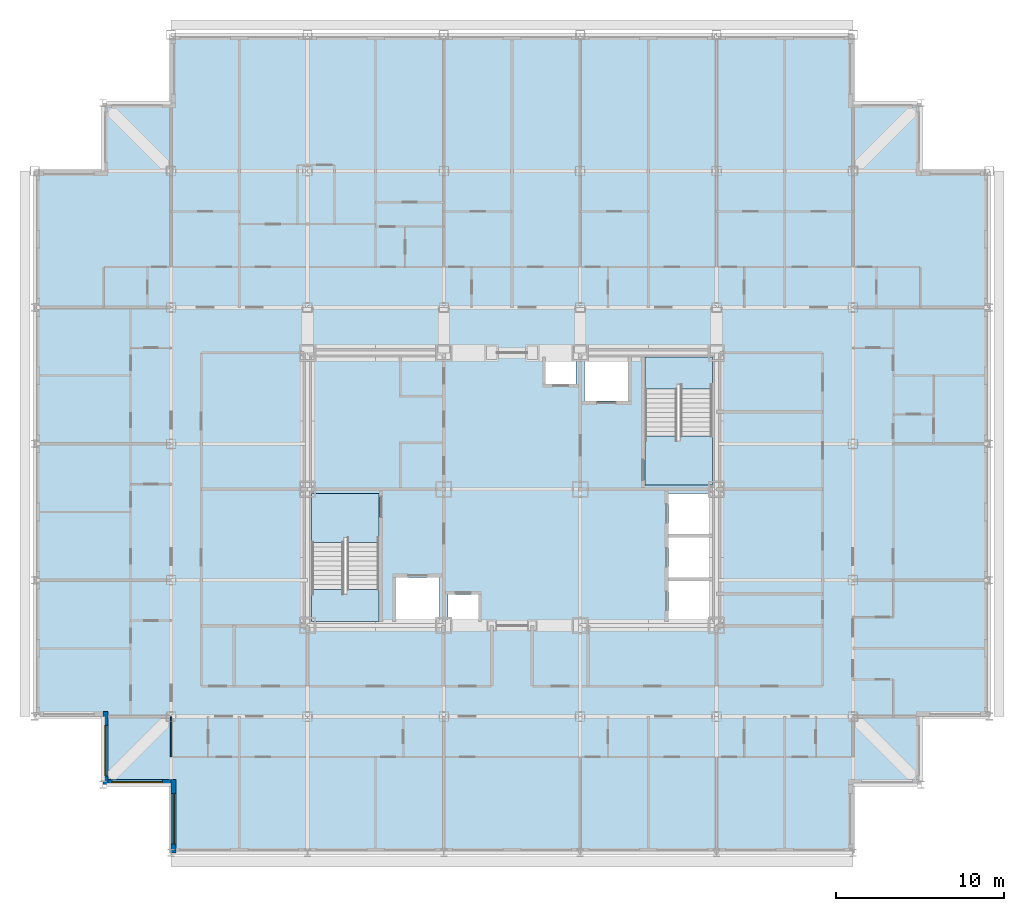
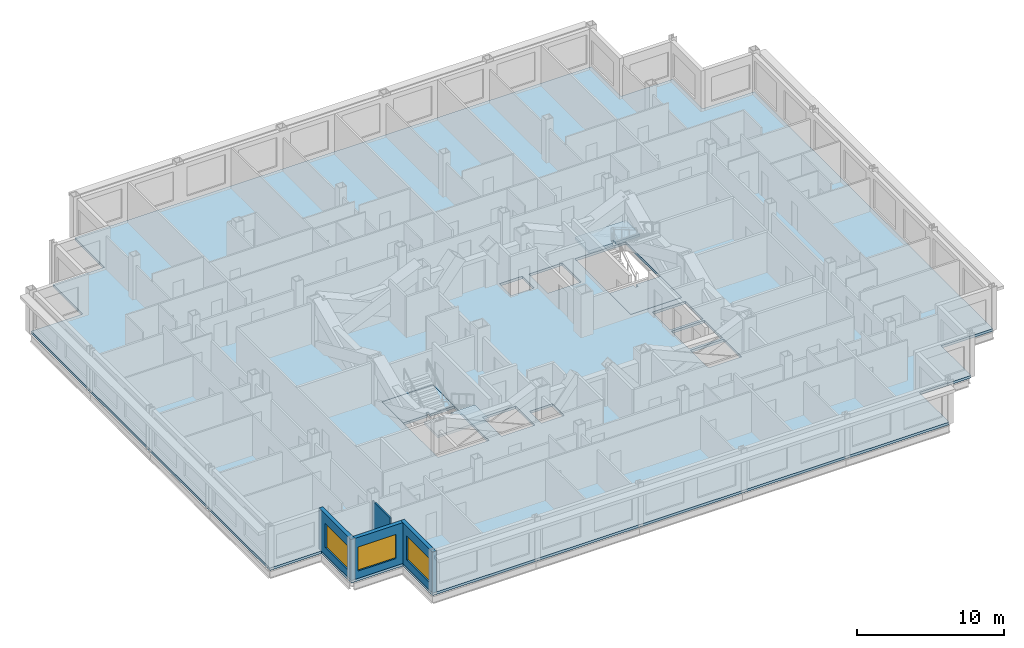
# One storey, part 3 of 12: 5 slabs, 4 walls, 3 windows, 3 openings, 2 elements without a shape of their own.
"""IFC4 building model written with IfcOpenShell, lengths in metres."""

from ifc_helpers import new_model, si_unit, direction, frame, frame_2d, origin, place, context, subcontext, project, spatial, polyline, rectangle, outline, extrude, material, layer, layer_set, type_object, element, fill, aggregate, save


model = new_model("IFC4")

# Units and contexts
model_context = context("Model", 3, precision=1e-05, world=origin(), true_north=direction((0.0, 1.0)))
body_context = subcontext(model_context, "Body", "Model", "MODEL_VIEW")
ifc_project = project(units=[si_unit("LENGTHUNIT", "METRE"), si_unit("AREAUNIT", "SQUARE_METRE"), si_unit("VOLUMEUNIT", "CUBIC_METRE"), si_unit("PLANEANGLEUNIT", "RADIAN"), si_unit("MASSUNIT", "GRAM", prefix="KILO")], contexts=[model_context])

# Site, building, storey
site_placement = place(None, origin())
site = spatial("IfcSite", under=ifc_project, at=site_placement, CompositionType="ELEMENT")
building_placement = place(site_placement, origin())
building = spatial("IfcBuilding", under=site, at=building_placement, Name="Kopane Lantern Tower", CompositionType="ELEMENT")
storey_placement = place(building_placement, frame((0.0, 0.0, 199.199951171875)))
storey = spatial("IfcBuildingStorey", under=building, at=storey_placement, Name="L51", CompositionType="ELEMENT", Elevation=199.199951171875)

# Slab
ifc_material_1 = material(Name="Concrete C40/50", Category="concrete")
ifc_layer_1 = layer(ifc_material_1, 0.2099609375)
ifc_layer_set_1 = layer_set([ifc_layer_1], Name="SLAB 210 COMPOSITE")
slab_type_1 = type_object("IfcSlabType", Name="SLAB 210 COMPOSITE", PredefinedType="FLOOR", material=ifc_layer_set_1)
slab_1_placement = place(storey_placement, frame((0.0, 0.0, -0.2099609375)))
element("IfcSlab", 1, at=slab_1_placement, inside=storey, type_object=slab_type_1, Name="Floor slab L51", PredefinedType="FLOOR", context=body_context, shape_type="SweptSolid", body=[
    extrude(outline(polyline([(8.10009765625, 10.800048828125), (48.60009765625, 10.800048828125), (48.60009765625, 14.85009765625), (52.64990234375, 14.85009765625), (52.64990234375, 18.89990234375), (56.699951171875, 18.89990234375), (56.699951171875, 51.300048828125), (52.64990234375, 51.300048828125), (52.64990234375, 55.35009765625), (48.60009765625, 55.35009765625), (48.60009765625, 59.39990234375), (8.10009765625, 59.39990234375), (8.10009765625, 55.35009765625), (4.050048828125, 55.35009765625), (4.050048828125, 51.300048828125), (0.0, 51.300048828125), (0.0, 18.89990234375), (4.050048828125, 18.89990234375), (4.050048828125, 14.85009765625), (8.10009765625, 14.85009765625), (8.10009765625, 10.800048828125)]), holes=[polyline([(16.449951171875, 24.550048828125), (20.449951171875, 24.550048828125), (20.449951171875, 32.14990234375), (16.449951171875, 32.14990234375), (16.449951171875, 24.550048828125)]), polyline([(36.25, 32.64990234375), (40.25, 32.64990234375), (40.25, 40.25), (36.25, 40.25), (36.25, 32.64990234375)]), polyline([(37.64990234375, 24.550048828125), (40.25, 24.550048828125), (40.25, 26.949951171875), (37.64990234375, 26.949951171875), (37.64990234375, 24.550048828125)]), polyline([(37.64990234375, 27.14990234375), (40.25, 27.14990234375), (40.25, 29.550048828125), (37.64990234375, 29.550048828125), (37.64990234375, 27.14990234375)]), polyline([(37.64990234375, 29.75), (40.25, 29.75), (40.25, 32.14990234375), (37.64990234375, 32.14990234375), (37.64990234375, 29.75)]), polyline([(21.449951171875, 24.550048828125), (24.050048828125, 24.550048828125), (24.050048828125, 27.14990234375), (21.449951171875, 27.14990234375), (21.449951171875, 24.550048828125)]), polyline([(32.64990234375, 37.64990234375), (35.25, 37.64990234375), (35.25, 40.25), (32.64990234375, 40.25), (32.64990234375, 37.64990234375)]), polyline([(24.550048828125, 24.550048828125), (26.35009765625, 24.550048828125), (26.35009765625, 26.14990234375), (24.550048828125, 26.14990234375), (24.550048828125, 24.550048828125)]), polyline([(30.35009765625, 38.64990234375), (32.14990234375, 38.64990234375), (32.14990234375, 40.25), (30.35009765625, 40.25), (30.35009765625, 38.64990234375)])]), origin(), (0.0, 0.0, 1.0), 0.2099609375),
])

# Stair, slabs
ifc_material_2 = material(Name="Steel S355JR", Category="steel")
stair_type = type_object("IfcStairType", Name="EXIT STAIR 1900 HALF TURN", PredefinedType="HALF_TURN_STAIR", material=ifc_material_2)
stair_1_placement = place(storey_placement, origin())
stair_1 = element("IfcStair", 2, at=stair_1_placement, inside=storey, type_object=stair_type, Name="Exit stair ST1 L51", PredefinedType="HALF_TURN_STAIR")
ifc_material_3 = material(Name="Concrete C40/50", Category="concrete")
ifc_layer_2 = layer(ifc_material_3, 0.199951171875)
ifc_layer_set_2 = layer_set([ifc_layer_2], Name="STAIR LANDING 200")
slab_type_2 = type_object("IfcSlabType", Name="STAIR LANDING 200", PredefinedType="LANDING", material=ifc_layer_set_2)
slab_2_placement = place(storey_placement, frame((0.0, 0.0, -0.199951171875)))
slab_2 = element("IfcSlab", 3, at=slab_2_placement, type_object=slab_type_2, Name="ST1 landing 1", PredefinedType="LANDING", context=body_context, shape_type="SweptSolid", body=[
    extrude(outline(polyline([(18.35009765625, 29.530029296875), (18.550048828125, 29.530029296875), (18.550048828125, 29.25), (20.449951171875, 29.25), (20.449951171875, 32.14990234375), (16.449951171875, 32.14990234375), (16.449951171875, 29.25), (18.35009765625, 29.25), (18.35009765625, 29.530029296875)])), origin(), (0.0, 0.0, 1.0), 0.199951171875),
])
slab_3_placement = place(storey_placement, frame((0.0, 0.0, 1.60009765625)))
slab_3 = element("IfcSlab", 4, at=slab_3_placement, type_object=slab_type_2, Name="ST1 landing 2", PredefinedType="LANDING", context=body_context, shape_type="SweptSolid", body=[
    extrude(outline(polyline([(20.449951171875, 26.449951171875), (18.550048828125, 26.449951171875), (18.550048828125, 26.169921875), (18.35009765625, 26.169921875), (18.35009765625, 26.449951171875), (16.449951171875, 26.449951171875), (16.449951171875, 24.550048828125), (20.449951171875, 24.550048828125), (20.449951171875, 26.449951171875)])), origin(), (0.0, 0.0, 1.0), 0.199951171875),
])
aggregate(stair_1, [slab_2, slab_3])

stair_2_placement = place(storey_placement, origin())
stair_2 = element("IfcStair", 5, at=stair_2_placement, inside=storey, type_object=stair_type, Name="Exit stair ST2 L51", PredefinedType="HALF_TURN_STAIR")
slab_4_placement = place(storey_placement, frame((0.0, 0.0, -0.199951171875)))
slab_4 = element("IfcSlab", 6, at=slab_4_placement, type_object=slab_type_2, Name="ST2 landing 1", PredefinedType="LANDING", context=body_context, shape_type="SweptSolid", body=[
    extrude(outline(polyline([(40.25, 35.550048828125), (38.35009765625, 35.550048828125), (38.35009765625, 35.27001953125), (38.14990234375, 35.27001953125), (38.14990234375, 35.550048828125), (36.25, 35.550048828125), (36.25, 32.64990234375), (40.25, 32.64990234375), (40.25, 35.550048828125)])), origin(), (0.0, 0.0, 1.0), 0.199951171875),
])
slab_5_placement = place(storey_placement, frame((0.0, 0.0, 1.60009765625)))
slab_5 = element("IfcSlab", 7, at=slab_5_placement, type_object=slab_type_2, Name="ST2 landing 2", PredefinedType="LANDING", context=body_context, shape_type="SweptSolid", body=[
    extrude(outline(polyline([(38.14990234375, 38.6298828125), (38.35009765625, 38.6298828125), (38.35009765625, 38.35009765625), (40.25, 38.35009765625), (40.25, 40.25), (36.25, 40.25), (36.25, 38.35009765625), (38.14990234375, 38.35009765625), (38.14990234375, 38.6298828125)])), origin(), (0.0, 0.0, 1.0), 0.199951171875),
])
aggregate(stair_2, [slab_4, slab_5])

# Wall
ifc_material_4 = material(Name="Moisture-resistant board on steel studs", Category="steel")
ifc_layer_3 = layer(ifc_material_4, 0.10009765625)
ifc_layer_set_3 = layer_set([ifc_layer_3], Name="BATHROOM WALL 100")
wall_type_1 = type_object("IfcWallType", Name="BATHROOM WALL 100", PredefinedType="PARTITIONING", material=ifc_layer_set_3)
wall_1_placement = place(storey_placement, frame((8.10009765625, 18.89990234375, 0.0), z_axis=(0.0, 0.0, 1.0), x_axis=(0.0, -1.0, 0.0)))
element("IfcWall", 8, at=wall_1_placement, inside=storey, type_object=wall_type_1, Name="Bathroom Wall 100 L51", PredefinedType="PARTITIONING", context=body_context, shape_type="SweptSolid", body=[
    extrude(rectangle(XDim=2.39990234375, YDim=0.10009765625, at=frame_2d((1.199951171875, 0.0))), origin(), (0.0, 0.0, 1.0), 2.77783203125),
])

# Wall, opening, window
ifc_material_5 = material(Name="Terracotta rainscreen on light steel framing", Category="masonry")
ifc_layer_4 = layer(ifc_material_5, 0.300048828125)
ifc_layer_set_4 = layer_set([ifc_layer_4], Name="EXTERNAL WALL EW1 300 TERRACOTTA")
wall_type_2 = type_object("IfcWallType", Name="EXTERNAL WALL EW1 300 TERRACOTTA", PredefinedType="SOLIDWALL", material=ifc_layer_set_4)
wall_2_placement = place(storey_placement, frame((4.199951171875, 19.199951171875, 0.0), z_axis=(0.0, 0.0, 1.0), x_axis=(0.0, -1.0, 0.0)))
wall_2 = element("IfcWall", 9, at=wall_2_placement, inside=storey, type_object=wall_type_2, Name="External wall W L51", PredefinedType="SOLIDWALL", context=body_context, shape_type="SweptSolid", body=[
    extrude(rectangle(XDim=4.349853515625, YDim=0.300048828125, at=frame_2d((2.1748046875, 0.0))), origin(), (0.0, 0.0, 1.0), 3.39013671875),
])
opening_1_placement = place(wall_2_placement, frame((0.824951171875, 0.0, 0.60009765625)))
opening_1 = element("IfcOpeningElement", 10, at=opening_1_placement, cuts=wall_2, Name="Opening WR300200", PredefinedType="OPENING", context=body_context, shape_type="SweptSolid", body=[
    extrude(rectangle(XDim=3.0, YDim=2.0, at=frame_2d((1.5, 1.0))), frame((0.0, 0.159912109375, 0.0), z_axis=(0.0, -1.0, 0.0), x_axis=(1.0, 0.0, 0.0)), (0.0, 0.0, 1.0), 0.320068359375),
])
ifc_material_6 = material(Name="Aluminium and clear glass", Category="aluminium")
window_type = type_object("IfcWindowType", Name="RIBBON WINDOW WR300200 3000x2000", PartitioningType="SINGLE_PANEL", PredefinedType="WINDOW", material=ifc_material_6)
window_1_placement = place(opening_1_placement, origin())
window_1 = element("IfcWindow", 11, at=window_1_placement, inside=storey, type_object=window_type, Name="Window W L51", OverallHeight=2.0, OverallWidth=3.0, PartitioningType="SINGLE_PANEL", PredefinedType="WINDOW", context=body_context, shape_type="SweptSolid", body=[
    extrude(rectangle(XDim=3.0, YDim=2.0, at=frame_2d((1.5, 1.0))), frame((0.0, 0.030029296875, 0.0), z_axis=(0.0, -1.0, 0.0), x_axis=(1.0, 0.0, 0.0)), (0.0, 0.0, 1.0), 0.06005859375),
])
fill(opening_1, window_1)

wall_3_placement = place(storey_placement, frame((4.35009765625, 15.0, 0.0), z_axis=(0.0, 0.0, 1.0), x_axis=(1.0, 0.0, 0.0)))
wall_3 = element("IfcWall", 12, at=wall_3_placement, inside=storey, type_object=wall_type_2, Name="External wall S L51", PredefinedType="SOLIDWALL", context=body_context, shape_type="SweptSolid", body=[
    extrude(rectangle(XDim=3.75, YDim=0.300048828125, at=frame_2d((1.875, 0.0))), origin(), (0.0, 0.0, 1.0), 3.39013671875),
])
opening_2_placement = place(wall_3_placement, frame((0.22509765625, 0.0, 0.60009765625)))
opening_2 = element("IfcOpeningElement", 13, at=opening_2_placement, cuts=wall_3, Name="Opening WR300200", PredefinedType="OPENING", context=body_context, shape_type="SweptSolid", body=[
    extrude(rectangle(XDim=3.0, YDim=2.0, at=frame_2d((1.5, 1.0))), frame((0.0, 0.159912109375, 0.0), z_axis=(0.0, -1.0, 0.0), x_axis=(1.0, 0.0, 0.0)), (0.0, 0.0, 1.0), 0.320068359375),
])
window_2_placement = place(opening_2_placement, origin())
window_2 = element("IfcWindow", 14, at=window_2_placement, inside=storey, type_object=window_type, Name="Window S L51", OverallHeight=2.0, OverallWidth=3.0, PartitioningType="SINGLE_PANEL", PredefinedType="WINDOW", context=body_context, shape_type="SweptSolid", body=[
    extrude(rectangle(XDim=3.0, YDim=2.0, at=frame_2d((1.5, 1.0))), frame((0.0, 0.030029296875, 0.0), z_axis=(0.0, -1.0, 0.0), x_axis=(1.0, 0.0, 0.0)), (0.0, 0.0, 1.0), 0.06005859375),
])
fill(opening_2, window_2)

wall_4_placement = place(storey_placement, frame((8.25, 15.14990234375, 0.0), z_axis=(0.0, 0.0, 1.0), x_axis=(0.0, -1.0, 0.0)))
wall_4 = element("IfcWall", 15, at=wall_4_placement, inside=storey, type_object=wall_type_2, Name="External wall W L51", PredefinedType="SOLIDWALL", context=body_context, shape_type="SweptSolid", body=[
    extrude(rectangle(XDim=4.349853515625, YDim=0.300048828125, at=frame_2d((2.1748046875, 0.0))), origin(), (0.0, 0.0, 1.0), 3.39013671875),
])
opening_3_placement = place(wall_4_placement, frame((0.824951171875, 0.0, 0.60009765625)))
opening_3 = element("IfcOpeningElement", 16, at=opening_3_placement, cuts=wall_4, Name="Opening WR300200", PredefinedType="OPENING", context=body_context, shape_type="SweptSolid", body=[
    extrude(rectangle(XDim=3.0, YDim=2.0, at=frame_2d((1.5, 1.0))), frame((0.0, 0.159912109375, 0.0), z_axis=(0.0, -1.0, 0.0), x_axis=(1.0, 0.0, 0.0)), (0.0, 0.0, 1.0), 0.320068359375),
])
window_3_placement = place(opening_3_placement, origin())
window_3 = element("IfcWindow", 17, at=window_3_placement, inside=storey, type_object=window_type, Name="Window W L51", OverallHeight=2.0, OverallWidth=3.0, PartitioningType="SINGLE_PANEL", PredefinedType="WINDOW", context=body_context, shape_type="SweptSolid", body=[
    extrude(rectangle(XDim=3.0, YDim=2.0, at=frame_2d((1.5, 1.0))), frame((0.0, 0.030029296875, 0.0), z_axis=(0.0, -1.0, 0.0), x_axis=(1.0, 0.0, 0.0)), (0.0, 0.0, 1.0), 0.06005859375),
])
fill(opening_3, window_3)

save(model, "model.ifc")
